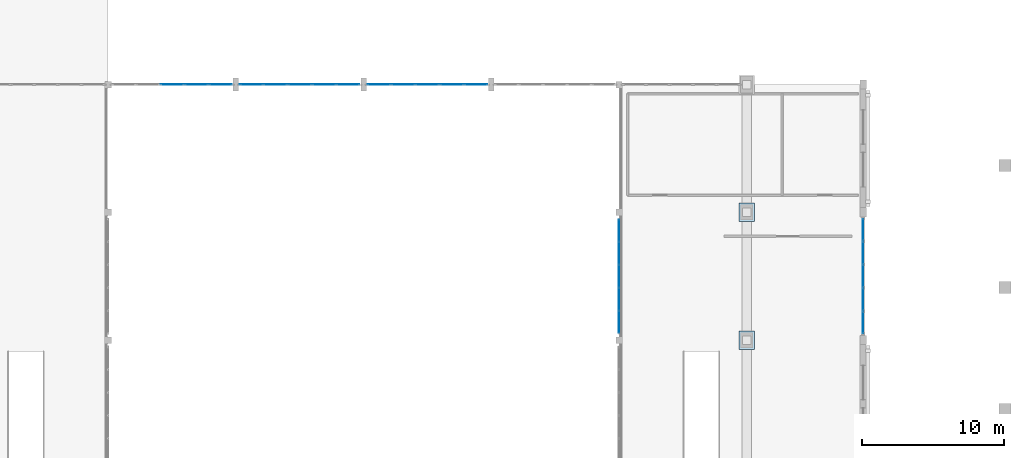
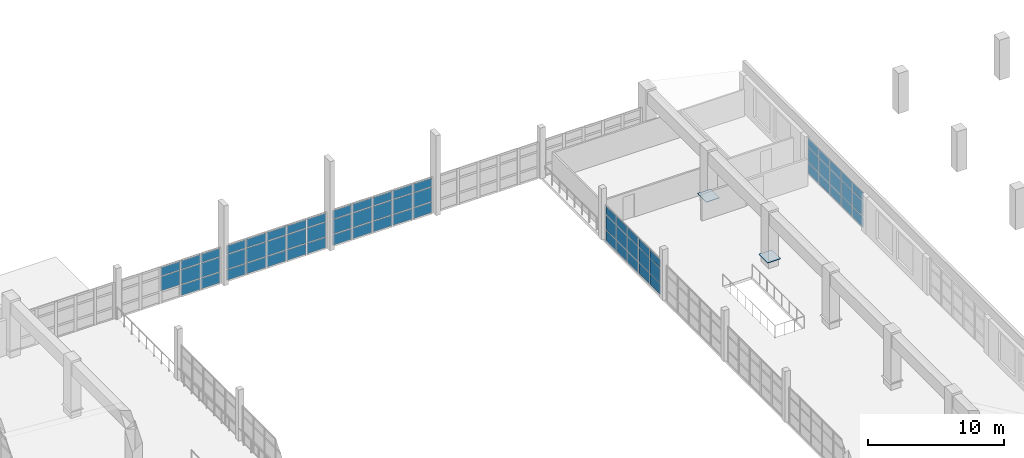
# One storey, part 61 of 80: 70 plates, 5 elements without a shape of their own.
"""IFC4 building model written with IfcOpenShell, lengths in metres."""

from ifc_helpers import new_model, si_unit, direction, frame, origin, origin_2d, place, context, subcontext, project, spatial, rectangle, extrude, material, layer, layer_set, type_object, element, aggregate, save


model = new_model("IFC4")

# Units and contexts
model_context = context("Model", 3, precision=1e-05, world=origin(), true_north=direction((0.0, 1.0)))
body_context = subcontext(model_context, "Body", "Model", "MODEL_VIEW")
ifc_project = project(units=[si_unit("LENGTHUNIT", "METRE"), si_unit("AREAUNIT", "SQUARE_METRE"), si_unit("VOLUMEUNIT", "CUBIC_METRE"), si_unit("PLANEANGLEUNIT", "RADIAN"), si_unit("MASSUNIT", "GRAM", prefix="KILO")], contexts=[model_context])

# Site, building, storey
site_placement = place(None, origin())
site = spatial("IfcSite", under=ifc_project, at=site_placement, CompositionType="ELEMENT")
building_placement = place(site_placement, origin())
building = spatial("IfcBuilding", under=site, at=building_placement, Name="Ornek Quay Market", CompositionType="ELEMENT")
storey_placement = place(building_placement, frame((0.0, 0.0, 8.39990234375)))
storey = spatial("IfcBuildingStorey", under=building, at=storey_placement, Name="L02", CompositionType="ELEMENT", Elevation=8.39990234375)

# Plates
ifc_material_1 = material(Name="Steel S355", Category="steel")
ifc_layer_1 = layer(ifc_material_1, 1.300048828125, Name="Steel S355", Category="steel")
ifc_layer_set_1 = layer_set([ifc_layer_1], Name="Steel S355")
plate_type_1 = type_object("IfcPlateType", Name="PL-ARCH-SHOE-1100x1300x50", PredefinedType="SHEET", material=ifc_layer_set_1)
for number, where, z_axis, x_axis, name in (
    (1, (117.0, 74.0, 0.60009765625), (0.0, 0.0, 1.0), (1.0, 0.0, 0.0), "Arch bearing plate Grid J-E"),
    (2, (117.0, 83.0, 0.60009765625), (0.0, 0.0, 1.0), (1.0, 0.0, 0.0), "Arch bearing plate Grid K-E"),
):
    element("IfcPlate", number, at=place(storey_placement, frame(where, z_axis=z_axis, x_axis=x_axis)), inside=storey, type_object=plate_type_1, Name=name, PredefinedType="SHEET", context=body_context, shape_type="SweptSolid", body=[
        extrude(rectangle(XDim=1.10009765625, YDim=1.300048828125, at=origin_2d()), origin(), (0.0, 0.0, 1.0), 0.050048828125),
    ])

# Curtain wall, plates
ifc_material_2 = material(Name="Anodised bronze aluminium and triple low-e glass", Category="aluminium")
ifc_layer_2 = layer(ifc_material_2, 0.139892578125, Name="Anodised bronze aluminium and triple low-e glass", Category="aluminium")
ifc_layer_set_2 = layer_set([ifc_layer_2], Name="Anodised bronze aluminium and triple low-e glass")
curtain_wall_type_1 = type_object("IfcCurtainWallType", Name="CW-GALLERY-INT", PredefinedType="USERDEFINED", material=ifc_layer_set_2)
curtain_wall_1_placement = place(storey_placement, origin())
curtain_wall_1 = element("IfcCurtainWall", 3, at=curtain_wall_1_placement, inside=storey, type_object=curtain_wall_type_1, Name="Curtain wall CW-120", ObjectType="CURTAIN WALL", PredefinedType="USERDEFINED")
ifc_material_3 = material(Name="Toughened laminated acoustic glass", Category="glass")
ifc_layer_3 = layer(ifc_material_3, 0.01611328125, Name="Toughened laminated acoustic glass", Category="glass")
ifc_layer_set_3 = layer_set([ifc_layer_3], Name="Toughened laminated acoustic glass")
plate_type_2 = type_object("IfcPlateType", Name="PL-CW-INT-16", PredefinedType="CURTAIN_PANEL", material=ifc_layer_set_3)
plate_1_placement = place(storey_placement, frame((108.0, 75.27490234375, 0.06005859375), z_axis=(0.0, 0.0, 1.0), x_axis=(0.0, 1.0, 0.0)))
plate_1 = element("IfcPlate", 4, at=plate_1_placement, type_object=plate_type_2, Name="CW-120 panel 1.1", PredefinedType="CURTAIN_PANEL", context=body_context, shape_type="SweptSolid", body=[
    extrude(rectangle(XDim=1.530029296875, YDim=0.01611328125, at=origin_2d()), origin(), (0.0, 0.0, 1.0), 0.9599609375),
])
plate_2_placement = place(storey_placement, frame((108.0, 75.27490234375, 1.080078125), z_axis=(0.0, 0.0, 1.0), x_axis=(0.0, 1.0, 0.0)))
plate_2 = element("IfcPlate", 5, at=plate_2_placement, type_object=plate_type_2, Name="CW-120 panel 1.2", PredefinedType="CURTAIN_PANEL", context=body_context, shape_type="SweptSolid", body=[
    extrude(rectangle(XDim=1.530029296875, YDim=0.01611328125, at=origin_2d()), origin(), (0.0, 0.0, 1.0), 1.2900390625),
])
plate_3_placement = place(storey_placement, frame((108.0, 75.27490234375, 2.43017578125), z_axis=(0.0, 0.0, 1.0), x_axis=(0.0, 1.0, 0.0)))
plate_3 = element("IfcPlate", 6, at=plate_3_placement, type_object=plate_type_2, Name="CW-120 panel 1.3", PredefinedType="CURTAIN_PANEL", context=body_context, shape_type="SweptSolid", body=[
    extrude(rectangle(XDim=1.530029296875, YDim=0.01611328125, at=origin_2d()), origin(), (0.0, 0.0, 1.0), 0.760009765625),
])
plate_4_placement = place(storey_placement, frame((108.0, 76.8798828125, 0.06005859375), z_axis=(0.0, 0.0, 1.0), x_axis=(0.0, 1.0, 0.0)))
plate_4 = element("IfcPlate", 7, at=plate_4_placement, type_object=plate_type_2, Name="CW-120 panel 2.1", PredefinedType="CURTAIN_PANEL", context=body_context, shape_type="SweptSolid", body=[
    extrude(rectangle(XDim=1.56005859375, YDim=0.01611328125, at=origin_2d()), origin(), (0.0, 0.0, 1.0), 0.9599609375),
])
plate_5_placement = place(storey_placement, frame((108.0, 76.8798828125, 1.080078125), z_axis=(0.0, 0.0, 1.0), x_axis=(0.0, 1.0, 0.0)))
plate_5 = element("IfcPlate", 8, at=plate_5_placement, type_object=plate_type_2, Name="CW-120 panel 2.2", PredefinedType="CURTAIN_PANEL", context=body_context, shape_type="SweptSolid", body=[
    extrude(rectangle(XDim=1.56005859375, YDim=0.01611328125, at=origin_2d()), origin(), (0.0, 0.0, 1.0), 1.2900390625),
])
plate_6_placement = place(storey_placement, frame((108.0, 76.8798828125, 2.43017578125), z_axis=(0.0, 0.0, 1.0), x_axis=(0.0, 1.0, 0.0)))
plate_6 = element("IfcPlate", 9, at=plate_6_placement, type_object=plate_type_2, Name="CW-120 panel 2.3", PredefinedType="CURTAIN_PANEL", context=body_context, shape_type="SweptSolid", body=[
    extrude(rectangle(XDim=1.56005859375, YDim=0.01611328125, at=origin_2d()), origin(), (0.0, 0.0, 1.0), 0.760009765625),
])
plate_7_placement = place(storey_placement, frame((108.0, 78.5, 0.06005859375), z_axis=(0.0, 0.0, 1.0), x_axis=(0.0, 1.0, 0.0)))
plate_7 = element("IfcPlate", 10, at=plate_7_placement, type_object=plate_type_2, Name="CW-120 panel 3.1", PredefinedType="CURTAIN_PANEL", context=body_context, shape_type="SweptSolid", body=[
    extrude(rectangle(XDim=1.56005859375, YDim=0.01611328125, at=origin_2d()), origin(), (0.0, 0.0, 1.0), 0.9599609375),
])
plate_8_placement = place(storey_placement, frame((108.0, 78.5, 1.080078125), z_axis=(0.0, 0.0, 1.0), x_axis=(0.0, 1.0, 0.0)))
plate_8 = element("IfcPlate", 11, at=plate_8_placement, type_object=plate_type_2, Name="CW-120 panel 3.2", PredefinedType="CURTAIN_PANEL", context=body_context, shape_type="SweptSolid", body=[
    extrude(rectangle(XDim=1.56005859375, YDim=0.01611328125, at=origin_2d()), origin(), (0.0, 0.0, 1.0), 1.2900390625),
])
plate_9_placement = place(storey_placement, frame((108.0, 78.5, 2.43017578125), z_axis=(0.0, 0.0, 1.0), x_axis=(0.0, 1.0, 0.0)))
plate_9 = element("IfcPlate", 12, at=plate_9_placement, type_object=plate_type_2, Name="CW-120 panel 3.3", PredefinedType="CURTAIN_PANEL", context=body_context, shape_type="SweptSolid", body=[
    extrude(rectangle(XDim=1.56005859375, YDim=0.01611328125, at=origin_2d()), origin(), (0.0, 0.0, 1.0), 0.760009765625),
])
plate_10_placement = place(storey_placement, frame((108.0, 80.1201171875, 0.06005859375), z_axis=(0.0, 0.0, 1.0), x_axis=(0.0, 1.0, 0.0)))
plate_10 = element("IfcPlate", 13, at=plate_10_placement, type_object=plate_type_2, Name="CW-120 panel 4.1", PredefinedType="CURTAIN_PANEL", context=body_context, shape_type="SweptSolid", body=[
    extrude(rectangle(XDim=1.56005859375, YDim=0.01611328125, at=origin_2d()), origin(), (0.0, 0.0, 1.0), 0.9599609375),
])
plate_11_placement = place(storey_placement, frame((108.0, 80.1201171875, 1.080078125), z_axis=(0.0, 0.0, 1.0), x_axis=(0.0, 1.0, 0.0)))
plate_11 = element("IfcPlate", 14, at=plate_11_placement, type_object=plate_type_2, Name="CW-120 panel 4.2", PredefinedType="CURTAIN_PANEL", context=body_context, shape_type="SweptSolid", body=[
    extrude(rectangle(XDim=1.56005859375, YDim=0.01611328125, at=origin_2d()), origin(), (0.0, 0.0, 1.0), 1.2900390625),
])
plate_12_placement = place(storey_placement, frame((108.0, 80.1201171875, 2.43017578125), z_axis=(0.0, 0.0, 1.0), x_axis=(0.0, 1.0, 0.0)))
plate_12 = element("IfcPlate", 15, at=plate_12_placement, type_object=plate_type_2, Name="CW-120 panel 4.3", PredefinedType="CURTAIN_PANEL", context=body_context, shape_type="SweptSolid", body=[
    extrude(rectangle(XDim=1.56005859375, YDim=0.01611328125, at=origin_2d()), origin(), (0.0, 0.0, 1.0), 0.760009765625),
])
plate_13_placement = place(storey_placement, frame((108.0, 81.72509765625, 0.06005859375), z_axis=(0.0, 0.0, 1.0), x_axis=(0.0, 1.0, 0.0)))
plate_13 = element("IfcPlate", 16, at=plate_13_placement, type_object=plate_type_2, Name="CW-120 panel 5.1", PredefinedType="CURTAIN_PANEL", context=body_context, shape_type="SweptSolid", body=[
    extrude(rectangle(XDim=1.530029296875, YDim=0.01611328125, at=origin_2d()), origin(), (0.0, 0.0, 1.0), 0.9599609375),
])
plate_14_placement = place(storey_placement, frame((108.0, 81.72509765625, 1.080078125), z_axis=(0.0, 0.0, 1.0), x_axis=(0.0, 1.0, 0.0)))
plate_14 = element("IfcPlate", 17, at=plate_14_placement, type_object=plate_type_2, Name="CW-120 panel 5.2", PredefinedType="CURTAIN_PANEL", context=body_context, shape_type="SweptSolid", body=[
    extrude(rectangle(XDim=1.530029296875, YDim=0.01611328125, at=origin_2d()), origin(), (0.0, 0.0, 1.0), 1.2900390625),
])
plate_15_placement = place(storey_placement, frame((108.0, 81.72509765625, 2.43017578125), z_axis=(0.0, 0.0, 1.0), x_axis=(0.0, 1.0, 0.0)))
plate_15 = element("IfcPlate", 18, at=plate_15_placement, type_object=plate_type_2, Name="CW-120 panel 5.3", PredefinedType="CURTAIN_PANEL", context=body_context, shape_type="SweptSolid", body=[
    extrude(rectangle(XDim=1.530029296875, YDim=0.01611328125, at=origin_2d()), origin(), (0.0, 0.0, 1.0), 0.760009765625),
])
aggregate(curtain_wall_1, [plate_1, plate_2, plate_3, plate_4, plate_5, plate_6, plate_7, plate_8, plate_9, plate_10, plate_11, plate_12, plate_13, plate_14, plate_15])

ifc_layer_4 = layer(ifc_material_2, 0.239990234375, Name="Anodised bronze aluminium and triple low-e glass", Category="aluminium")
ifc_layer_set_4 = layer_set([ifc_layer_4], Name="Anodised bronze aluminium and triple low-e glass")
curtain_wall_type_2 = type_object("IfcCurtainWallType", Name="CW-GAB-MOD1800", PredefinedType="USERDEFINED", material=ifc_layer_set_4)
curtain_wall_2_placement = place(storey_placement, origin())
curtain_wall_2 = element("IfcCurtainWall", 19, at=curtain_wall_2_placement, inside=storey, type_object=curtain_wall_type_2, Name="Curtain wall CW-062", ObjectType="CURTAIN WALL", PredefinedType="USERDEFINED")
ifc_material_4 = material(Name="Triple insulated low-e glass", Category="glass")
ifc_layer_5 = layer(ifc_material_4, 0.0419921875, Name="Triple insulated low-e glass", Category="glass")
ifc_layer_set_5 = layer_set([ifc_layer_5], Name="Triple insulated low-e glass")
plate_type_3 = type_object("IfcPlateType", Name="PL-CW-TRIPLE-42", PredefinedType="CURTAIN_PANEL", material=ifc_layer_set_5)
plate_16_placement = place(storey_placement, frame((125.199951171875, 75.237548828125, 0.06982421875), z_axis=(0.0, 0.0, 1.0), x_axis=(0.0, 1.0, 0.0)))
plate_16 = element("IfcPlate", 20, at=plate_16_placement, type_object=plate_type_3, Name="CW-062 panel 1.1", PredefinedType="CURTAIN_PANEL", context=body_context, shape_type="SweptSolid", body=[
    extrude(rectangle(XDim=1.534912109375, YDim=0.0419921875, at=origin_2d()), origin(), (0.0, 0.0, 1.0), 0.945068359375),
])
plate_17_placement = place(storey_placement, frame((125.199951171875, 75.237548828125, 1.0849609375), z_axis=(0.0, 0.0, 1.0), x_axis=(0.0, 1.0, 0.0)))
plate_17 = element("IfcPlate", 21, at=plate_17_placement, type_object=plate_type_3, Name="CW-062 panel 1.2", PredefinedType="CURTAIN_PANEL", context=body_context, shape_type="SweptSolid", body=[
    extrude(rectangle(XDim=1.534912109375, YDim=0.0419921875, at=origin_2d()), origin(), (0.0, 0.0, 1.0), 1.320068359375),
])
plate_18_placement = place(storey_placement, frame((125.199951171875, 75.237548828125, 2.47509765625), z_axis=(0.0, 0.0, 1.0), x_axis=(0.0, 1.0, 0.0)))
plate_18 = element("IfcPlate", 22, at=plate_18_placement, type_object=plate_type_3, Name="CW-062 panel 1.3", PredefinedType="CURTAIN_PANEL", context=body_context, shape_type="SweptSolid", body=[
    extrude(rectangle(XDim=1.534912109375, YDim=0.0419921875, at=origin_2d()), origin(), (0.0, 0.0, 1.0), 0.7451171875),
])
plate_19_placement = place(storey_placement, frame((125.199951171875, 76.860107421875, 0.06982421875), z_axis=(0.0, 0.0, 1.0), x_axis=(0.0, 1.0, 0.0)))
plate_19 = element("IfcPlate", 23, at=plate_19_placement, type_object=plate_type_3, Name="CW-062 panel 2.1", PredefinedType="CURTAIN_PANEL", context=body_context, shape_type="SweptSolid", body=[
    extrude(rectangle(XDim=1.570068359375, YDim=0.0419921875, at=origin_2d()), origin(), (0.0, 0.0, 1.0), 0.945068359375),
])
plate_20_placement = place(storey_placement, frame((125.199951171875, 76.860107421875, 1.0849609375), z_axis=(0.0, 0.0, 1.0), x_axis=(0.0, 1.0, 0.0)))
plate_20 = element("IfcPlate", 24, at=plate_20_placement, type_object=plate_type_3, Name="CW-062 panel 2.2", PredefinedType="CURTAIN_PANEL", context=body_context, shape_type="SweptSolid", body=[
    extrude(rectangle(XDim=1.570068359375, YDim=0.0419921875, at=origin_2d()), origin(), (0.0, 0.0, 1.0), 1.320068359375),
])
plate_21_placement = place(storey_placement, frame((125.199951171875, 76.860107421875, 2.47509765625), z_axis=(0.0, 0.0, 1.0), x_axis=(0.0, 1.0, 0.0)))
plate_21 = element("IfcPlate", 25, at=plate_21_placement, type_object=plate_type_3, Name="CW-062 panel 2.3", PredefinedType="CURTAIN_PANEL", context=body_context, shape_type="SweptSolid", body=[
    extrude(rectangle(XDim=1.570068359375, YDim=0.0419921875, at=origin_2d()), origin(), (0.0, 0.0, 1.0), 0.7451171875),
])
plate_22_placement = place(storey_placement, frame((125.199951171875, 78.5, 0.06982421875), z_axis=(0.0, 0.0, 1.0), x_axis=(0.0, 1.0, 0.0)))
plate_22 = element("IfcPlate", 26, at=plate_22_placement, type_object=plate_type_3, Name="CW-062 panel 3.1", PredefinedType="CURTAIN_PANEL", context=body_context, shape_type="SweptSolid", body=[
    extrude(rectangle(XDim=1.570068359375, YDim=0.0419921875, at=origin_2d()), origin(), (0.0, 0.0, 1.0), 0.945068359375),
])
plate_23_placement = place(storey_placement, frame((125.199951171875, 78.5, 1.0849609375), z_axis=(0.0, 0.0, 1.0), x_axis=(0.0, 1.0, 0.0)))
plate_23 = element("IfcPlate", 27, at=plate_23_placement, type_object=plate_type_3, Name="CW-062 panel 3.2", PredefinedType="CURTAIN_PANEL", context=body_context, shape_type="SweptSolid", body=[
    extrude(rectangle(XDim=1.570068359375, YDim=0.0419921875, at=origin_2d()), origin(), (0.0, 0.0, 1.0), 1.320068359375),
])
plate_24_placement = place(storey_placement, frame((125.199951171875, 78.5, 2.47509765625), z_axis=(0.0, 0.0, 1.0), x_axis=(0.0, 1.0, 0.0)))
plate_24 = element("IfcPlate", 28, at=plate_24_placement, type_object=plate_type_3, Name="CW-062 panel 3.3", PredefinedType="CURTAIN_PANEL", context=body_context, shape_type="SweptSolid", body=[
    extrude(rectangle(XDim=1.570068359375, YDim=0.0419921875, at=origin_2d()), origin(), (0.0, 0.0, 1.0), 0.7451171875),
])
plate_25_placement = place(storey_placement, frame((125.199951171875, 80.139892578125, 0.06982421875), z_axis=(0.0, 0.0, 1.0), x_axis=(0.0, 1.0, 0.0)))
plate_25 = element("IfcPlate", 29, at=plate_25_placement, type_object=plate_type_3, Name="CW-062 panel 4.1", PredefinedType="CURTAIN_PANEL", context=body_context, shape_type="SweptSolid", body=[
    extrude(rectangle(XDim=1.570068359375, YDim=0.0419921875, at=origin_2d()), origin(), (0.0, 0.0, 1.0), 0.945068359375),
])
plate_26_placement = place(storey_placement, frame((125.199951171875, 80.139892578125, 1.0849609375), z_axis=(0.0, 0.0, 1.0), x_axis=(0.0, 1.0, 0.0)))
plate_26 = element("IfcPlate", 30, at=plate_26_placement, type_object=plate_type_3, Name="CW-062 panel 4.2", PredefinedType="CURTAIN_PANEL", context=body_context, shape_type="SweptSolid", body=[
    extrude(rectangle(XDim=1.570068359375, YDim=0.0419921875, at=origin_2d()), origin(), (0.0, 0.0, 1.0), 1.320068359375),
])
plate_27_placement = place(storey_placement, frame((125.199951171875, 80.139892578125, 2.47509765625), z_axis=(0.0, 0.0, 1.0), x_axis=(0.0, 1.0, 0.0)))
plate_27 = element("IfcPlate", 31, at=plate_27_placement, type_object=plate_type_3, Name="CW-062 panel 4.3", PredefinedType="CURTAIN_PANEL", context=body_context, shape_type="SweptSolid", body=[
    extrude(rectangle(XDim=1.570068359375, YDim=0.0419921875, at=origin_2d()), origin(), (0.0, 0.0, 1.0), 0.7451171875),
])
plate_28_placement = place(storey_placement, frame((125.199951171875, 81.762451171875, 0.06982421875), z_axis=(0.0, 0.0, 1.0), x_axis=(0.0, 1.0, 0.0)))
plate_28 = element("IfcPlate", 32, at=plate_28_placement, type_object=plate_type_3, Name="CW-062 panel 5.1", PredefinedType="CURTAIN_PANEL", context=body_context, shape_type="SweptSolid", body=[
    extrude(rectangle(XDim=1.534912109375, YDim=0.0419921875, at=origin_2d()), origin(), (0.0, 0.0, 1.0), 0.945068359375),
])
plate_29_placement = place(storey_placement, frame((125.199951171875, 81.762451171875, 1.0849609375), z_axis=(0.0, 0.0, 1.0), x_axis=(0.0, 1.0, 0.0)))
plate_29 = element("IfcPlate", 33, at=plate_29_placement, type_object=plate_type_3, Name="CW-062 panel 5.2", PredefinedType="CURTAIN_PANEL", context=body_context, shape_type="SweptSolid", body=[
    extrude(rectangle(XDim=1.534912109375, YDim=0.0419921875, at=origin_2d()), origin(), (0.0, 0.0, 1.0), 1.320068359375),
])
plate_30_placement = place(storey_placement, frame((125.199951171875, 81.762451171875, 2.47509765625), z_axis=(0.0, 0.0, 1.0), x_axis=(0.0, 1.0, 0.0)))
plate_30 = element("IfcPlate", 34, at=plate_30_placement, type_object=plate_type_3, Name="CW-062 panel 5.3", PredefinedType="CURTAIN_PANEL", context=body_context, shape_type="SweptSolid", body=[
    extrude(rectangle(XDim=1.534912109375, YDim=0.0419921875, at=origin_2d()), origin(), (0.0, 0.0, 1.0), 0.7451171875),
])
aggregate(curtain_wall_2, [plate_16, plate_17, plate_18, plate_19, plate_20, plate_21, plate_22, plate_23, plate_24, plate_25, plate_26, plate_27, plate_28, plate_29, plate_30])

curtain_wall_3_placement = place(storey_placement, origin())
curtain_wall_3 = element("IfcCurtainWall", 35, at=curtain_wall_3_placement, inside=storey, type_object=curtain_wall_type_2, Name="Curtain wall CW-067", ObjectType="CURTAIN WALL", PredefinedType="USERDEFINED")
plate_31_placement = place(storey_placement, frame((76.510009765625, 92.0, 1.087646484375), z_axis=(0.0, 0.0, 1.0), x_axis=(1.0, 0.0, 0.0)))
plate_31 = element("IfcPlate", 36, at=plate_31_placement, type_object=plate_type_3, Name="CW-067 panel 3.2", PredefinedType="CURTAIN_PANEL", context=body_context, shape_type="SweptSolid", body=[
    extrude(rectangle(XDim=1.632080078125, YDim=0.0419921875, at=origin_2d()), origin(), (0.0, 0.0, 1.0), 1.27490234375),
])
plate_32_placement = place(storey_placement, frame((76.510009765625, 92.0, 2.4375), z_axis=(0.0, 0.0, 1.0), x_axis=(1.0, 0.0, 0.0)))
plate_32 = element("IfcPlate", 37, at=plate_32_placement, type_object=plate_type_3, Name="CW-067 panel 3.3", PredefinedType="CURTAIN_PANEL", context=body_context, shape_type="SweptSolid", body=[
    extrude(rectangle(XDim=1.632080078125, YDim=0.0419921875, at=origin_2d()), origin(), (0.0, 0.0, 1.0), 0.737548828125),
])
plate_33_placement = place(storey_placement, frame((78.221923828125, 92.0, 0.0751953125), z_axis=(0.0, 0.0, 1.0), x_axis=(1.0, 0.0, 0.0)))
plate_33 = element("IfcPlate", 38, at=plate_33_placement, type_object=plate_type_3, Name="CW-067 panel 4.1", PredefinedType="CURTAIN_PANEL", context=body_context, shape_type="SweptSolid", body=[
    extrude(rectangle(XDim=1.632080078125, YDim=0.0419921875, at=origin_2d()), origin(), (0.0, 0.0, 1.0), 0.9375),
])
plate_34_placement = place(storey_placement, frame((78.221923828125, 92.0, 1.087646484375), z_axis=(0.0, 0.0, 1.0), x_axis=(1.0, 0.0, 0.0)))
plate_34 = element("IfcPlate", 39, at=plate_34_placement, type_object=plate_type_3, Name="CW-067 panel 4.2", PredefinedType="CURTAIN_PANEL", context=body_context, shape_type="SweptSolid", body=[
    extrude(rectangle(XDim=1.632080078125, YDim=0.0419921875, at=origin_2d()), origin(), (0.0, 0.0, 1.0), 1.27490234375),
])
plate_35_placement = place(storey_placement, frame((78.221923828125, 92.0, 2.4375), z_axis=(0.0, 0.0, 1.0), x_axis=(1.0, 0.0, 0.0)))
plate_35 = element("IfcPlate", 40, at=plate_35_placement, type_object=plate_type_3, Name="CW-067 panel 4.3", PredefinedType="CURTAIN_PANEL", context=body_context, shape_type="SweptSolid", body=[
    extrude(rectangle(XDim=1.632080078125, YDim=0.0419921875, at=origin_2d()), origin(), (0.0, 0.0, 1.0), 0.737548828125),
])
plate_36_placement = place(storey_placement, frame((79.9140625, 92.0, 0.0751953125), z_axis=(0.0, 0.0, 1.0), x_axis=(1.0, 0.0, 0.0)))
plate_36 = element("IfcPlate", 41, at=plate_36_placement, type_object=plate_type_3, Name="CW-067 panel 5.1", PredefinedType="CURTAIN_PANEL", context=body_context, shape_type="SweptSolid", body=[
    extrude(rectangle(XDim=1.592041015625, YDim=0.0419921875, at=origin_2d()), origin(), (0.0, 0.0, 1.0), 0.9375),
])
plate_37_placement = place(storey_placement, frame((79.9140625, 92.0, 1.087646484375), z_axis=(0.0, 0.0, 1.0), x_axis=(1.0, 0.0, 0.0)))
plate_37 = element("IfcPlate", 42, at=plate_37_placement, type_object=plate_type_3, Name="CW-067 panel 5.2", PredefinedType="CURTAIN_PANEL", context=body_context, shape_type="SweptSolid", body=[
    extrude(rectangle(XDim=1.592041015625, YDim=0.0419921875, at=origin_2d()), origin(), (0.0, 0.0, 1.0), 1.27490234375),
])
plate_38_placement = place(storey_placement, frame((79.9140625, 92.0, 2.4375), z_axis=(0.0, 0.0, 1.0), x_axis=(1.0, 0.0, 0.0)))
plate_38 = element("IfcPlate", 43, at=plate_38_placement, type_object=plate_type_3, Name="CW-067 panel 5.3", PredefinedType="CURTAIN_PANEL", context=body_context, shape_type="SweptSolid", body=[
    extrude(rectangle(XDim=1.592041015625, YDim=0.0419921875, at=origin_2d()), origin(), (0.0, 0.0, 1.0), 0.737548828125),
])
aggregate(curtain_wall_3, [plate_31, plate_32, plate_33, plate_34, plate_35, plate_36, plate_37, plate_38])

curtain_wall_4_placement = place(storey_placement, origin())
curtain_wall_4 = element("IfcCurtainWall", 44, at=curtain_wall_4_placement, inside=storey, type_object=curtain_wall_type_2, Name="Curtain wall CW-070", ObjectType="CURTAIN WALL", PredefinedType="USERDEFINED")
plate_39_placement = place(storey_placement, frame((82.087890625, 92.0, 0.0751953125), z_axis=(0.0, 0.0, 1.0), x_axis=(1.0, 0.0, 0.0)))
plate_39 = element("IfcPlate", 45, at=plate_39_placement, type_object=plate_type_3, Name="CW-070 panel 1.1", PredefinedType="CURTAIN_PANEL", context=body_context, shape_type="SweptSolid", body=[
    extrude(rectangle(XDim=1.595947265625, YDim=0.0419921875, at=origin_2d()), origin(), (0.0, 0.0, 1.0), 0.9375),
])
plate_40_placement = place(storey_placement, frame((82.087890625, 92.0, 1.087646484375), z_axis=(0.0, 0.0, 1.0), x_axis=(1.0, 0.0, 0.0)))
plate_40 = element("IfcPlate", 46, at=plate_40_placement, type_object=plate_type_3, Name="CW-070 panel 1.2", PredefinedType="CURTAIN_PANEL", context=body_context, shape_type="SweptSolid", body=[
    extrude(rectangle(XDim=1.595947265625, YDim=0.0419921875, at=origin_2d()), origin(), (0.0, 0.0, 1.0), 1.27490234375),
])
plate_41_placement = place(storey_placement, frame((82.087890625, 92.0, 2.4375), z_axis=(0.0, 0.0, 1.0), x_axis=(1.0, 0.0, 0.0)))
plate_41 = element("IfcPlate", 47, at=plate_41_placement, type_object=plate_type_3, Name="CW-070 panel 1.3", PredefinedType="CURTAIN_PANEL", context=body_context, shape_type="SweptSolid", body=[
    extrude(rectangle(XDim=1.595947265625, YDim=0.0419921875, at=origin_2d()), origin(), (0.0, 0.0, 1.0), 0.737548828125),
])
plate_42_placement = place(storey_placement, frame((83.783935546875, 92.0, 0.0751953125), z_axis=(0.0, 0.0, 1.0), x_axis=(1.0, 0.0, 0.0)))
plate_42 = element("IfcPlate", 48, at=plate_42_placement, type_object=plate_type_3, Name="CW-070 panel 2.1", PredefinedType="CURTAIN_PANEL", context=body_context, shape_type="SweptSolid", body=[
    extrude(rectangle(XDim=1.635986328125, YDim=0.0419921875, at=origin_2d()), origin(), (0.0, 0.0, 1.0), 0.9375),
])
plate_43_placement = place(storey_placement, frame((83.783935546875, 92.0, 1.087646484375), z_axis=(0.0, 0.0, 1.0), x_axis=(1.0, 0.0, 0.0)))
plate_43 = element("IfcPlate", 49, at=plate_43_placement, type_object=plate_type_3, Name="CW-070 panel 2.2", PredefinedType="CURTAIN_PANEL", context=body_context, shape_type="SweptSolid", body=[
    extrude(rectangle(XDim=1.635986328125, YDim=0.0419921875, at=origin_2d()), origin(), (0.0, 0.0, 1.0), 1.27490234375),
])
plate_44_placement = place(storey_placement, frame((83.783935546875, 92.0, 2.4375), z_axis=(0.0, 0.0, 1.0), x_axis=(1.0, 0.0, 0.0)))
plate_44 = element("IfcPlate", 50, at=plate_44_placement, type_object=plate_type_3, Name="CW-070 panel 2.3", PredefinedType="CURTAIN_PANEL", context=body_context, shape_type="SweptSolid", body=[
    extrude(rectangle(XDim=1.635986328125, YDim=0.0419921875, at=origin_2d()), origin(), (0.0, 0.0, 1.0), 0.737548828125),
])
plate_45_placement = place(storey_placement, frame((85.5, 92.0, 0.0751953125), z_axis=(0.0, 0.0, 1.0), x_axis=(1.0, 0.0, 0.0)))
plate_45 = element("IfcPlate", 51, at=plate_45_placement, type_object=plate_type_3, Name="CW-070 panel 3.1", PredefinedType="CURTAIN_PANEL", context=body_context, shape_type="SweptSolid", body=[
    extrude(rectangle(XDim=1.635986328125, YDim=0.0419921875, at=origin_2d()), origin(), (0.0, 0.0, 1.0), 0.9375),
])
plate_46_placement = place(storey_placement, frame((85.5, 92.0, 1.087646484375), z_axis=(0.0, 0.0, 1.0), x_axis=(1.0, 0.0, 0.0)))
plate_46 = element("IfcPlate", 52, at=plate_46_placement, type_object=plate_type_3, Name="CW-070 panel 3.2", PredefinedType="CURTAIN_PANEL", context=body_context, shape_type="SweptSolid", body=[
    extrude(rectangle(XDim=1.635986328125, YDim=0.0419921875, at=origin_2d()), origin(), (0.0, 0.0, 1.0), 1.27490234375),
])
plate_47_placement = place(storey_placement, frame((85.5, 92.0, 2.4375), z_axis=(0.0, 0.0, 1.0), x_axis=(1.0, 0.0, 0.0)))
plate_47 = element("IfcPlate", 53, at=plate_47_placement, type_object=plate_type_3, Name="CW-070 panel 3.3", PredefinedType="CURTAIN_PANEL", context=body_context, shape_type="SweptSolid", body=[
    extrude(rectangle(XDim=1.635986328125, YDim=0.0419921875, at=origin_2d()), origin(), (0.0, 0.0, 1.0), 0.737548828125),
])
plate_48_placement = place(storey_placement, frame((87.216064453125, 92.0, 0.0751953125), z_axis=(0.0, 0.0, 1.0), x_axis=(1.0, 0.0, 0.0)))
plate_48 = element("IfcPlate", 54, at=plate_48_placement, type_object=plate_type_3, Name="CW-070 panel 4.1", PredefinedType="CURTAIN_PANEL", context=body_context, shape_type="SweptSolid", body=[
    extrude(rectangle(XDim=1.635986328125, YDim=0.0419921875, at=origin_2d()), origin(), (0.0, 0.0, 1.0), 0.9375),
])
plate_49_placement = place(storey_placement, frame((87.216064453125, 92.0, 1.087646484375), z_axis=(0.0, 0.0, 1.0), x_axis=(1.0, 0.0, 0.0)))
plate_49 = element("IfcPlate", 55, at=plate_49_placement, type_object=plate_type_3, Name="CW-070 panel 4.2", PredefinedType="CURTAIN_PANEL", context=body_context, shape_type="SweptSolid", body=[
    extrude(rectangle(XDim=1.635986328125, YDim=0.0419921875, at=origin_2d()), origin(), (0.0, 0.0, 1.0), 1.27490234375),
])
plate_50_placement = place(storey_placement, frame((87.216064453125, 92.0, 2.4375), z_axis=(0.0, 0.0, 1.0), x_axis=(1.0, 0.0, 0.0)))
plate_50 = element("IfcPlate", 56, at=plate_50_placement, type_object=plate_type_3, Name="CW-070 panel 4.3", PredefinedType="CURTAIN_PANEL", context=body_context, shape_type="SweptSolid", body=[
    extrude(rectangle(XDim=1.635986328125, YDim=0.0419921875, at=origin_2d()), origin(), (0.0, 0.0, 1.0), 0.737548828125),
])
plate_51_placement = place(storey_placement, frame((88.912109375, 92.0, 0.0751953125), z_axis=(0.0, 0.0, 1.0), x_axis=(1.0, 0.0, 0.0)))
plate_51 = element("IfcPlate", 57, at=plate_51_placement, type_object=plate_type_3, Name="CW-070 panel 5.1", PredefinedType="CURTAIN_PANEL", context=body_context, shape_type="SweptSolid", body=[
    extrude(rectangle(XDim=1.595947265625, YDim=0.0419921875, at=origin_2d()), origin(), (0.0, 0.0, 1.0), 0.9375),
])
plate_52_placement = place(storey_placement, frame((88.912109375, 92.0, 1.087646484375), z_axis=(0.0, 0.0, 1.0), x_axis=(1.0, 0.0, 0.0)))
plate_52 = element("IfcPlate", 58, at=plate_52_placement, type_object=plate_type_3, Name="CW-070 panel 5.2", PredefinedType="CURTAIN_PANEL", context=body_context, shape_type="SweptSolid", body=[
    extrude(rectangle(XDim=1.595947265625, YDim=0.0419921875, at=origin_2d()), origin(), (0.0, 0.0, 1.0), 1.27490234375),
])
plate_53_placement = place(storey_placement, frame((88.912109375, 92.0, 2.4375), z_axis=(0.0, 0.0, 1.0), x_axis=(1.0, 0.0, 0.0)))
plate_53 = element("IfcPlate", 59, at=plate_53_placement, type_object=plate_type_3, Name="CW-070 panel 5.3", PredefinedType="CURTAIN_PANEL", context=body_context, shape_type="SweptSolid", body=[
    extrude(rectangle(XDim=1.595947265625, YDim=0.0419921875, at=origin_2d()), origin(), (0.0, 0.0, 1.0), 0.737548828125),
])
aggregate(curtain_wall_4, [plate_39, plate_40, plate_41, plate_42, plate_43, plate_44, plate_45, plate_46, plate_47, plate_48, plate_49, plate_50, plate_51, plate_52, plate_53])

curtain_wall_5_placement = place(storey_placement, origin())
curtain_wall_5 = element("IfcCurtainWall", 60, at=curtain_wall_5_placement, inside=storey, type_object=curtain_wall_type_2, Name="Curtain wall CW-073", ObjectType="CURTAIN WALL", PredefinedType="USERDEFINED")
plate_54_placement = place(storey_placement, frame((91.087890625, 92.0, 0.0751953125), z_axis=(0.0, 0.0, 1.0), x_axis=(1.0, 0.0, 0.0)))
plate_54 = element("IfcPlate", 61, at=plate_54_placement, type_object=plate_type_3, Name="CW-073 panel 1.1", PredefinedType="CURTAIN_PANEL", context=body_context, shape_type="SweptSolid", body=[
    extrude(rectangle(XDim=1.595947265625, YDim=0.0419921875, at=origin_2d()), origin(), (0.0, 0.0, 1.0), 0.9375),
])
plate_55_placement = place(storey_placement, frame((91.087890625, 92.0, 1.087646484375), z_axis=(0.0, 0.0, 1.0), x_axis=(1.0, 0.0, 0.0)))
plate_55 = element("IfcPlate", 62, at=plate_55_placement, type_object=plate_type_3, Name="CW-073 panel 1.2", PredefinedType="CURTAIN_PANEL", context=body_context, shape_type="SweptSolid", body=[
    extrude(rectangle(XDim=1.595947265625, YDim=0.0419921875, at=origin_2d()), origin(), (0.0, 0.0, 1.0), 1.27490234375),
])
plate_56_placement = place(storey_placement, frame((91.087890625, 92.0, 2.4375), z_axis=(0.0, 0.0, 1.0), x_axis=(1.0, 0.0, 0.0)))
plate_56 = element("IfcPlate", 63, at=plate_56_placement, type_object=plate_type_3, Name="CW-073 panel 1.3", PredefinedType="CURTAIN_PANEL", context=body_context, shape_type="SweptSolid", body=[
    extrude(rectangle(XDim=1.595947265625, YDim=0.0419921875, at=origin_2d()), origin(), (0.0, 0.0, 1.0), 0.737548828125),
])
plate_57_placement = place(storey_placement, frame((92.783935546875, 92.0, 0.0751953125), z_axis=(0.0, 0.0, 1.0), x_axis=(1.0, 0.0, 0.0)))
plate_57 = element("IfcPlate", 64, at=plate_57_placement, type_object=plate_type_3, Name="CW-073 panel 2.1", PredefinedType="CURTAIN_PANEL", context=body_context, shape_type="SweptSolid", body=[
    extrude(rectangle(XDim=1.635986328125, YDim=0.0419921875, at=origin_2d()), origin(), (0.0, 0.0, 1.0), 0.9375),
])
plate_58_placement = place(storey_placement, frame((92.783935546875, 92.0, 1.087646484375), z_axis=(0.0, 0.0, 1.0), x_axis=(1.0, 0.0, 0.0)))
plate_58 = element("IfcPlate", 65, at=plate_58_placement, type_object=plate_type_3, Name="CW-073 panel 2.2", PredefinedType="CURTAIN_PANEL", context=body_context, shape_type="SweptSolid", body=[
    extrude(rectangle(XDim=1.635986328125, YDim=0.0419921875, at=origin_2d()), origin(), (0.0, 0.0, 1.0), 1.27490234375),
])
plate_59_placement = place(storey_placement, frame((92.783935546875, 92.0, 2.4375), z_axis=(0.0, 0.0, 1.0), x_axis=(1.0, 0.0, 0.0)))
plate_59 = element("IfcPlate", 66, at=plate_59_placement, type_object=plate_type_3, Name="CW-073 panel 2.3", PredefinedType="CURTAIN_PANEL", context=body_context, shape_type="SweptSolid", body=[
    extrude(rectangle(XDim=1.635986328125, YDim=0.0419921875, at=origin_2d()), origin(), (0.0, 0.0, 1.0), 0.737548828125),
])
plate_60_placement = place(storey_placement, frame((94.5, 92.0, 0.0751953125), z_axis=(0.0, 0.0, 1.0), x_axis=(1.0, 0.0, 0.0)))
plate_60 = element("IfcPlate", 67, at=plate_60_placement, type_object=plate_type_3, Name="CW-073 panel 3.1", PredefinedType="CURTAIN_PANEL", context=body_context, shape_type="SweptSolid", body=[
    extrude(rectangle(XDim=1.635986328125, YDim=0.0419921875, at=origin_2d()), origin(), (0.0, 0.0, 1.0), 0.9375),
])
plate_61_placement = place(storey_placement, frame((94.5, 92.0, 1.087646484375), z_axis=(0.0, 0.0, 1.0), x_axis=(1.0, 0.0, 0.0)))
plate_61 = element("IfcPlate", 68, at=plate_61_placement, type_object=plate_type_3, Name="CW-073 panel 3.2", PredefinedType="CURTAIN_PANEL", context=body_context, shape_type="SweptSolid", body=[
    extrude(rectangle(XDim=1.635986328125, YDim=0.0419921875, at=origin_2d()), origin(), (0.0, 0.0, 1.0), 1.27490234375),
])
plate_62_placement = place(storey_placement, frame((94.5, 92.0, 2.4375), z_axis=(0.0, 0.0, 1.0), x_axis=(1.0, 0.0, 0.0)))
plate_62 = element("IfcPlate", 69, at=plate_62_placement, type_object=plate_type_3, Name="CW-073 panel 3.3", PredefinedType="CURTAIN_PANEL", context=body_context, shape_type="SweptSolid", body=[
    extrude(rectangle(XDim=1.635986328125, YDim=0.0419921875, at=origin_2d()), origin(), (0.0, 0.0, 1.0), 0.737548828125),
])
plate_63_placement = place(storey_placement, frame((96.216064453125, 92.0, 0.0751953125), z_axis=(0.0, 0.0, 1.0), x_axis=(1.0, 0.0, 0.0)))
plate_63 = element("IfcPlate", 70, at=plate_63_placement, type_object=plate_type_3, Name="CW-073 panel 4.1", PredefinedType="CURTAIN_PANEL", context=body_context, shape_type="SweptSolid", body=[
    extrude(rectangle(XDim=1.635986328125, YDim=0.0419921875, at=origin_2d()), origin(), (0.0, 0.0, 1.0), 0.9375),
])
plate_64_placement = place(storey_placement, frame((96.216064453125, 92.0, 1.087646484375), z_axis=(0.0, 0.0, 1.0), x_axis=(1.0, 0.0, 0.0)))
plate_64 = element("IfcPlate", 71, at=plate_64_placement, type_object=plate_type_3, Name="CW-073 panel 4.2", PredefinedType="CURTAIN_PANEL", context=body_context, shape_type="SweptSolid", body=[
    extrude(rectangle(XDim=1.635986328125, YDim=0.0419921875, at=origin_2d()), origin(), (0.0, 0.0, 1.0), 1.27490234375),
])
plate_65_placement = place(storey_placement, frame((96.216064453125, 92.0, 2.4375), z_axis=(0.0, 0.0, 1.0), x_axis=(1.0, 0.0, 0.0)))
plate_65 = element("IfcPlate", 72, at=plate_65_placement, type_object=plate_type_3, Name="CW-073 panel 4.3", PredefinedType="CURTAIN_PANEL", context=body_context, shape_type="SweptSolid", body=[
    extrude(rectangle(XDim=1.635986328125, YDim=0.0419921875, at=origin_2d()), origin(), (0.0, 0.0, 1.0), 0.737548828125),
])
plate_66_placement = place(storey_placement, frame((97.912109375, 92.0, 0.0751953125), z_axis=(0.0, 0.0, 1.0), x_axis=(1.0, 0.0, 0.0)))
plate_66 = element("IfcPlate", 73, at=plate_66_placement, type_object=plate_type_3, Name="CW-073 panel 5.1", PredefinedType="CURTAIN_PANEL", context=body_context, shape_type="SweptSolid", body=[
    extrude(rectangle(XDim=1.595947265625, YDim=0.0419921875, at=origin_2d()), origin(), (0.0, 0.0, 1.0), 0.9375),
])
plate_67_placement = place(storey_placement, frame((97.912109375, 92.0, 1.087646484375), z_axis=(0.0, 0.0, 1.0), x_axis=(1.0, 0.0, 0.0)))
plate_67 = element("IfcPlate", 74, at=plate_67_placement, type_object=plate_type_3, Name="CW-073 panel 5.2", PredefinedType="CURTAIN_PANEL", context=body_context, shape_type="SweptSolid", body=[
    extrude(rectangle(XDim=1.595947265625, YDim=0.0419921875, at=origin_2d()), origin(), (0.0, 0.0, 1.0), 1.27490234375),
])
plate_68_placement = place(storey_placement, frame((97.912109375, 92.0, 2.4375), z_axis=(0.0, 0.0, 1.0), x_axis=(1.0, 0.0, 0.0)))
plate_68 = element("IfcPlate", 75, at=plate_68_placement, type_object=plate_type_3, Name="CW-073 panel 5.3", PredefinedType="CURTAIN_PANEL", context=body_context, shape_type="SweptSolid", body=[
    extrude(rectangle(XDim=1.595947265625, YDim=0.0419921875, at=origin_2d()), origin(), (0.0, 0.0, 1.0), 0.737548828125),
])
aggregate(curtain_wall_5, [plate_54, plate_55, plate_56, plate_57, plate_58, plate_59, plate_60, plate_61, plate_62, plate_63, plate_64, plate_65, plate_66, plate_67, plate_68])

save(model, "model.ifc")
